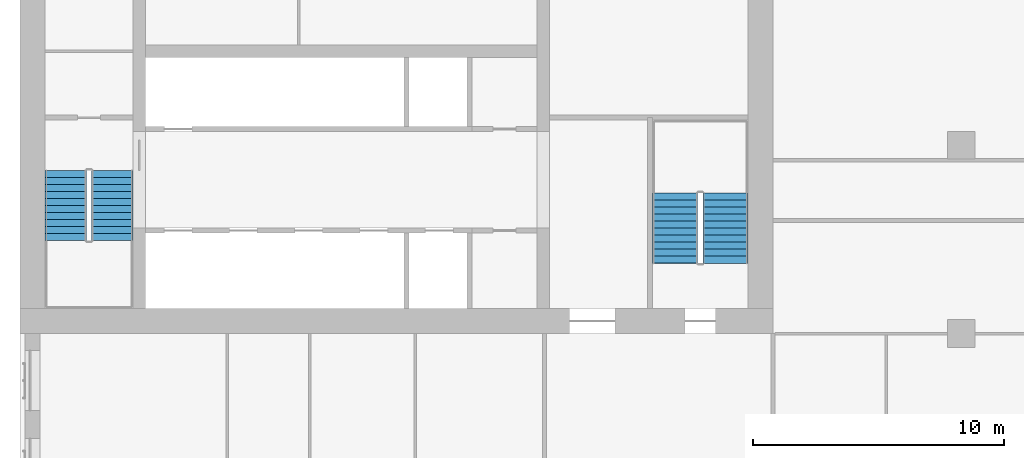
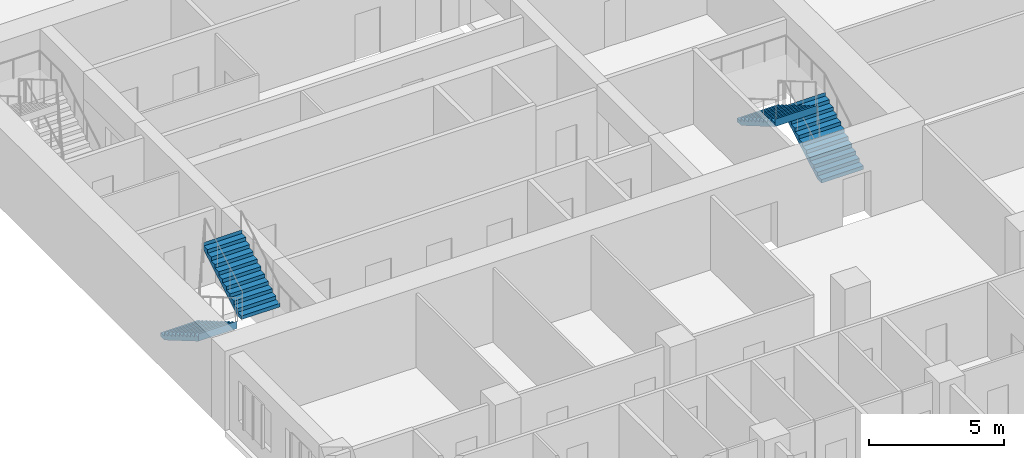
# One storey, part 13 of 15: 4 stair flights, 2 elements without a shape of their own.
"""IFC4 building model written with IfcOpenShell, lengths in metres."""

from ifc_helpers import new_model, si_unit, direction, frame, origin, place, context, subcontext, project, spatial, polyline, outline, extrude, material, type_object, element, aggregate, save


model = new_model("IFC4")

# Units and contexts
model_context = context("Model", 3, precision=1e-05, world=origin(), true_north=direction((0.0, 1.0)))
body_context = subcontext(model_context, "Body", "Model", "MODEL_VIEW")
ifc_project = project(units=[si_unit("LENGTHUNIT", "METRE"), si_unit("AREAUNIT", "SQUARE_METRE"), si_unit("VOLUMEUNIT", "CUBIC_METRE"), si_unit("PLANEANGLEUNIT", "RADIAN"), si_unit("MASSUNIT", "GRAM", prefix="KILO")], contexts=[model_context])

# Site, building, storey
site_placement = place(None, origin())
site = spatial("IfcSite", under=ifc_project, at=site_placement, CompositionType="ELEMENT")
building_placement = place(site_placement, origin())
building = spatial("IfcBuilding", under=site, at=building_placement, Name="Tamorin Gate", CompositionType="ELEMENT")
storey_placement = place(building_placement, frame((0.0, 0.0, 97.10009765625)))
storey = spatial("IfcBuildingStorey", under=building, at=storey_placement, Name="L23", CompositionType="ELEMENT", Elevation=97.10009765625)

# Stair, stair flights
ifc_material = material(Name="Concrete C40/50", Category="concrete")
stair_type = type_object("IfcStairType", Name="Exit stair", PredefinedType="HALF_TURN_STAIR", material=ifc_material)
stair_1_placement = place(storey_placement, origin())
stair_1 = element("IfcStair", 1, at=stair_1_placement, inside=storey, type_object=stair_type, Name="L23 stair ST1", PredefinedType="HALF_TURN_STAIR")
stair_flight_type = type_object("IfcStairFlightType", Name="Exit stair flight", PredefinedType="STRAIGHT", material=ifc_material)
stair_flight_1_placement = place(storey_placement, frame((31.824951171875, 66.5, 0.0), z_axis=(0.0, 0.0, 1.0), x_axis=(0.0, -1.0, 0.0)))
stair_flight_1 = element("IfcStairFlight", 2, at=stair_flight_1_placement, type_object=stair_flight_type, Name="ST1 flight 1", NumberOfRisers=11, NumberOfTreads=10, PredefinedType="STRAIGHT", RiserHeight=0.163636364, TreadLength=0.28, context=body_context, shape_type="SweptSolid", body=[
    extrude(outline(polyline([(-0.00048828125, 0.0), (-0.00048828125, 0.001708984375), (-0.00048828125, 0.003173828125), (-0.00048828125, 0.0048828125), (-0.00048828125, 0.006591796875), (-0.00048828125, 0.008056640625), (-0.00048828125, 0.009765625), (-0.00048828125, 0.01123046875), (-0.00048828125, 0.012939453125), (-0.00048828125, 0.0146484375), (-0.00048828125, 0.01611328125), (-0.00048828125, 0.017822265625), (-0.00048828125, 0.01953125), (-0.00048828125, 0.02099609375), (-0.00048828125, 0.022705078125), (-0.00048828125, 0.0244140625), (-0.00048828125, 0.02587890625), (-0.00048828125, 0.027587890625), (-0.00048828125, 0.029052734375), (-0.00048828125, 0.03076171875), (-0.00048828125, 0.032470703125), (-0.00048828125, 0.033935546875), (-0.00048828125, 0.03564453125), (-0.00048828125, 0.037353515625), (-0.00048828125, 0.038818359375), (-0.00048828125, 0.04052734375), (-0.00048828125, 0.042236328125), (-0.00048828125, 0.043701171875), (-0.00048828125, 0.04541015625), (-0.00048828125, 0.046875), (-0.00048828125, 0.048583984375), (-0.00048828125, 0.05029296875), (-0.00048828125, 0.0517578125), (-0.00048828125, 0.053466796875), (-0.00048828125, 0.05517578125), (-0.00048828125, 0.056640625), (-0.00048828125, 0.058349609375), (-0.00048828125, 0.06005859375), (-0.00048828125, 0.0615234375), (-0.00048828125, 0.063232421875), (-0.00048828125, 0.064697265625), (-0.00048828125, 0.06640625), (-0.00048828125, 0.068115234375), (-0.00048828125, 0.069580078125), (-0.00048828125, 0.0712890625), (-0.00048828125, 0.072998046875), (-0.00048828125, 0.074462890625), (-0.00048828125, 0.076171875), (-0.00048828125, 0.077880859375), (-0.00048828125, 0.079345703125), (-0.00048828125, 0.0810546875), (-0.00048828125, 0.08251953125), (-0.00048828125, 0.084228515625), (-0.00048828125, 0.0859375), (-0.00048828125, 0.08740234375), (-0.00048828125, 0.089111328125), (-0.00048828125, 0.0908203125), (-0.00048828125, 0.09228515625), (-0.00048828125, 0.093994140625), (-0.00048828125, 0.095703125), (-0.00048828125, 0.09716796875), (-0.00048828125, 0.098876953125), (-0.00048828125, 0.100341796875), (-0.00048828125, 0.10205078125), (-0.00048828125, 0.103759765625), (-0.00048828125, 0.105224609375), (-0.00048828125, 0.10693359375), (-0.00048828125, 0.108642578125), (-0.00048828125, 0.110107421875), (-0.00048828125, 0.11181640625), (-0.00048828125, 0.113525390625), (-0.00048828125, 0.114990234375), (-0.00048828125, 0.11669921875), (-0.00048828125, 0.1181640625), (-0.00048828125, 0.119873046875), (-0.00048828125, 0.12158203125), (-0.00048828125, 0.123046875), (-0.00048828125, 0.124755859375), (-0.00048828125, 0.12646484375), (-0.00048828125, 0.1279296875), (-0.00048828125, 0.129638671875), (-0.00048828125, 0.13134765625), (-0.00048828125, 0.1328125), (-0.00048828125, 0.134521484375), (-0.00048828125, 0.135986328125), (-0.00048828125, 0.1376953125), (-0.00048828125, 0.139404296875), (-0.00048828125, 0.140869140625), (-0.00048828125, 0.142578125), (-0.00048828125, 0.144287109375), (-0.00048828125, 0.145751953125), (-0.00048828125, 0.1474609375), (-0.00048828125, 0.149169921875), (-0.00048828125, 0.150634765625), (-0.00048828125, 0.15234375), (-0.00048828125, 0.15380859375), (-0.00048828125, 0.155517578125), (-0.00048828125, 0.1572265625), (-0.00048828125, 0.15869140625), (-0.00048828125, 0.160400390625), (-0.00048828125, 0.162109375), (-0.00048828125, 0.16357421875), (0.280029296875, 0.16357421875), (0.280029296875, 0.327392578125), (0.56005859375, 0.327392578125), (0.56005859375, 0.490966796875), (0.840087890625, 0.490966796875), (0.840087890625, 0.654541015625), (1.1201171875, 0.654541015625), (1.1201171875, 0.818115234375), (1.39990234375, 0.818115234375), (1.39990234375, 0.98193359375), (1.679931640625, 0.98193359375), (1.679931640625, 1.1455078125), (1.9599609375, 1.1455078125), (1.9599609375, 1.30908203125), (2.239990234375, 1.30908203125), (2.239990234375, 1.47265625), (2.52001953125, 1.47265625), (2.52001953125, 1.636474609375), (2.800048828125, 1.636474609375), (2.800048828125, 1.800048828125), (2.800537109375, 1.800048828125), (2.800537109375, 1.796630859375), (2.800537109375, 1.793212890625), (2.800537109375, 1.7900390625), (2.800537109375, 1.78662109375), (2.800537109375, 1.783203125), (2.800537109375, 1.780029296875), (2.800537109375, 1.776611328125), (2.800537109375, 1.773193359375), (2.800537109375, 1.77001953125), (2.800537109375, 1.7666015625), (2.800537109375, 1.76318359375), (2.800537109375, 1.760009765625), (2.800537109375, 1.756591796875), (2.800537109375, 1.753173828125), (2.800537109375, 1.75), (2.800537109375, 1.74658203125), (2.800537109375, 1.7431640625), (2.800537109375, 1.739990234375), (2.800537109375, 1.736572265625), (2.800537109375, 1.733154296875), (2.800537109375, 1.72998046875), (2.800537109375, 1.7265625), (2.800537109375, 1.72314453125), (2.800537109375, 1.719970703125), (2.800537109375, 1.716552734375), (2.800537109375, 1.713134765625), (2.800537109375, 1.7099609375), (2.800537109375, 1.70654296875), (2.800537109375, 1.703125), (2.800537109375, 1.69970703125), (2.800537109375, 1.696533203125), (2.800537109375, 1.693115234375), (2.800537109375, 1.689697265625), (2.800537109375, 1.6865234375), (2.800537109375, 1.68310546875), (2.800537109375, 1.6796875), (2.800537109375, 1.676513671875), (2.800537109375, 1.673095703125), (2.800537109375, 1.669677734375), (2.800537109375, 1.66650390625), (2.800537109375, 1.6630859375), (2.800537109375, 1.65966796875), (2.800537109375, 1.656494140625), (2.800537109375, 1.653076171875), (2.800537109375, 1.649658203125), (2.800537109375, 1.646484375), (2.800537109375, 1.64306640625), (2.800537109375, 1.6396484375), (2.800537109375, 1.636474609375), (2.800537109375, 1.633056640625), (2.800537109375, 1.629638671875), (2.800537109375, 1.62646484375), (2.800537109375, 1.623046875), (2.800537109375, 1.61962890625), (2.800537109375, 1.616455078125), (2.800537109375, 1.613037109375), (2.800537109375, 1.609619140625), (2.800537109375, 1.6064453125), (2.800537109375, 1.60302734375), (2.800537109375, 1.599609375), (2.800537109375, 1.59619140625), (2.800537109375, 1.593017578125), (2.800537109375, 1.589599609375), (2.800537109375, 1.586181640625), (2.800537109375, 1.5830078125), (2.800537109375, 1.57958984375), (2.800537109375, 1.576171875), (2.800537109375, 1.572998046875), (2.800537109375, 1.569580078125), (2.800537109375, 1.566162109375), (2.800537109375, 1.56298828125), (2.800537109375, 1.5595703125), (2.800537109375, 1.55615234375), (2.800537109375, 1.552978515625), (2.800537109375, 1.549560546875), (2.800537109375, 1.546142578125), (2.800537109375, 1.54296875), (2.800537109375, 1.53955078125), (2.800537109375, 1.5361328125), (2.800537109375, 1.532958984375), (2.800537109375, 1.529541015625), (2.800537109375, 1.526123046875), (2.800537109375, 1.52294921875), (2.800537109375, 1.51953125), (2.800537109375, 1.51611328125), (2.800537109375, 1.512939453125), (2.800537109375, 1.509521484375), (2.800537109375, 1.506103515625), (2.800537109375, 1.5029296875), (2.800537109375, 1.49951171875), (2.800537109375, 1.49609375), (2.800537109375, 1.49267578125), (2.800537109375, 1.489501953125), (2.800537109375, 1.486083984375), (2.800537109375, 1.482666015625), (2.800537109375, 1.4794921875), (2.800537109375, 1.47607421875), (2.800537109375, 1.47265625), (2.800537109375, 1.469482421875), (2.800537109375, 1.466064453125), (2.800537109375, 1.462646484375), (2.800048828125, 1.462646484375), (0.297119140625, 0.0), (-0.00048828125, 0.0)])), frame((0.0, 0.824951171875, 0.0), z_axis=(0.0, -1.0, 0.0), x_axis=(1.0, 0.0, 0.0)), (0.0, 0.0, 1.0), 1.64990234375),
])
stair_flight_2_placement = place(storey_placement, frame((33.675048828125, 63.699951171875, 1.7998046875), z_axis=(0.0, 0.0, 1.0), x_axis=(0.0, 1.0, 0.0)))
stair_flight_2 = element("IfcStairFlight", 3, at=stair_flight_2_placement, type_object=stair_flight_type, Name="ST1 flight 2", NumberOfRisers=11, NumberOfTreads=10, PredefinedType="STRAIGHT", RiserHeight=0.163636364, TreadLength=0.28, context=body_context, shape_type="SweptSolid", body=[
    extrude(outline(polyline([(-0.00048828125, 0.0), (-0.00048828125, 0.001708984375), (-0.00048828125, 0.003173828125), (-0.00048828125, 0.0048828125), (-0.00048828125, 0.006591796875), (-0.00048828125, 0.008056640625), (-0.00048828125, 0.009765625), (-0.00048828125, 0.01123046875), (-0.00048828125, 0.012939453125), (-0.00048828125, 0.0146484375), (-0.00048828125, 0.01611328125), (-0.00048828125, 0.017822265625), (-0.00048828125, 0.01953125), (-0.00048828125, 0.02099609375), (-0.00048828125, 0.022705078125), (-0.00048828125, 0.0244140625), (-0.00048828125, 0.02587890625), (-0.00048828125, 0.027587890625), (-0.00048828125, 0.029052734375), (-0.00048828125, 0.03076171875), (-0.00048828125, 0.032470703125), (-0.00048828125, 0.033935546875), (-0.00048828125, 0.03564453125), (-0.00048828125, 0.037353515625), (-0.00048828125, 0.038818359375), (-0.00048828125, 0.04052734375), (-0.00048828125, 0.042236328125), (-0.00048828125, 0.043701171875), (-0.00048828125, 0.04541015625), (-0.00048828125, 0.046875), (-0.00048828125, 0.048583984375), (-0.00048828125, 0.05029296875), (-0.00048828125, 0.0517578125), (-0.00048828125, 0.053466796875), (-0.00048828125, 0.05517578125), (-0.00048828125, 0.056640625), (-0.00048828125, 0.058349609375), (-0.00048828125, 0.06005859375), (-0.00048828125, 0.0615234375), (-0.00048828125, 0.063232421875), (-0.00048828125, 0.064697265625), (-0.00048828125, 0.06640625), (-0.00048828125, 0.068115234375), (-0.00048828125, 0.069580078125), (-0.00048828125, 0.0712890625), (-0.00048828125, 0.072998046875), (-0.00048828125, 0.074462890625), (-0.00048828125, 0.076171875), (-0.00048828125, 0.077880859375), (-0.00048828125, 0.079345703125), (-0.00048828125, 0.0810546875), (-0.00048828125, 0.08251953125), (-0.00048828125, 0.084228515625), (-0.00048828125, 0.0859375), (-0.00048828125, 0.08740234375), (-0.00048828125, 0.089111328125), (-0.00048828125, 0.0908203125), (-0.00048828125, 0.09228515625), (-0.00048828125, 0.093994140625), (-0.00048828125, 0.095703125), (-0.00048828125, 0.09716796875), (-0.00048828125, 0.098876953125), (-0.00048828125, 0.100341796875), (-0.00048828125, 0.10205078125), (-0.00048828125, 0.103759765625), (-0.00048828125, 0.105224609375), (-0.00048828125, 0.10693359375), (-0.00048828125, 0.108642578125), (-0.00048828125, 0.110107421875), (-0.00048828125, 0.11181640625), (-0.00048828125, 0.113525390625), (-0.00048828125, 0.114990234375), (-0.00048828125, 0.11669921875), (-0.00048828125, 0.1181640625), (-0.00048828125, 0.119873046875), (-0.00048828125, 0.12158203125), (-0.00048828125, 0.123046875), (-0.00048828125, 0.124755859375), (-0.00048828125, 0.12646484375), (-0.00048828125, 0.1279296875), (-0.00048828125, 0.129638671875), (-0.00048828125, 0.13134765625), (-0.00048828125, 0.1328125), (-0.00048828125, 0.134521484375), (-0.00048828125, 0.135986328125), (-0.00048828125, 0.1376953125), (-0.00048828125, 0.139404296875), (-0.00048828125, 0.140869140625), (-0.00048828125, 0.142578125), (-0.00048828125, 0.144287109375), (-0.00048828125, 0.145751953125), (-0.00048828125, 0.1474609375), (-0.00048828125, 0.149169921875), (-0.00048828125, 0.150634765625), (-0.00048828125, 0.15234375), (-0.00048828125, 0.15380859375), (-0.00048828125, 0.155517578125), (-0.00048828125, 0.1572265625), (-0.00048828125, 0.15869140625), (-0.00048828125, 0.160400390625), (-0.00048828125, 0.162109375), (-0.00048828125, 0.16357421875), (0.280029296875, 0.16357421875), (0.280029296875, 0.327392578125), (0.56005859375, 0.327392578125), (0.56005859375, 0.490966796875), (0.840087890625, 0.490966796875), (0.840087890625, 0.654541015625), (1.1201171875, 0.654541015625), (1.1201171875, 0.818115234375), (1.39990234375, 0.818115234375), (1.39990234375, 0.98193359375), (1.679931640625, 0.98193359375), (1.679931640625, 1.1455078125), (1.9599609375, 1.1455078125), (1.9599609375, 1.30908203125), (2.239990234375, 1.30908203125), (2.239990234375, 1.47265625), (2.52001953125, 1.47265625), (2.52001953125, 1.636474609375), (2.800048828125, 1.636474609375), (2.800048828125, 1.800048828125), (2.800537109375, 1.800048828125), (2.800537109375, 1.796630859375), (2.800537109375, 1.793212890625), (2.800537109375, 1.7900390625), (2.800537109375, 1.78662109375), (2.800537109375, 1.783203125), (2.800537109375, 1.780029296875), (2.800537109375, 1.776611328125), (2.800537109375, 1.773193359375), (2.800537109375, 1.77001953125), (2.800537109375, 1.7666015625), (2.800537109375, 1.76318359375), (2.800537109375, 1.760009765625), (2.800537109375, 1.756591796875), (2.800537109375, 1.753173828125), (2.800537109375, 1.75), (2.800537109375, 1.74658203125), (2.800537109375, 1.7431640625), (2.800537109375, 1.739990234375), (2.800537109375, 1.736572265625), (2.800537109375, 1.733154296875), (2.800537109375, 1.72998046875), (2.800537109375, 1.7265625), (2.800537109375, 1.72314453125), (2.800537109375, 1.719970703125), (2.800537109375, 1.716552734375), (2.800537109375, 1.713134765625), (2.800537109375, 1.7099609375), (2.800537109375, 1.70654296875), (2.800537109375, 1.703125), (2.800537109375, 1.69970703125), (2.800537109375, 1.696533203125), (2.800537109375, 1.693115234375), (2.800537109375, 1.689697265625), (2.800537109375, 1.6865234375), (2.800537109375, 1.68310546875), (2.800537109375, 1.6796875), (2.800537109375, 1.676513671875), (2.800537109375, 1.673095703125), (2.800537109375, 1.669677734375), (2.800537109375, 1.66650390625), (2.800537109375, 1.6630859375), (2.800537109375, 1.65966796875), (2.800537109375, 1.656494140625), (2.800537109375, 1.653076171875), (2.800537109375, 1.649658203125), (2.800537109375, 1.646484375), (2.800537109375, 1.64306640625), (2.800537109375, 1.6396484375), (2.800537109375, 1.636474609375), (2.800537109375, 1.633056640625), (2.800537109375, 1.629638671875), (2.800537109375, 1.62646484375), (2.800537109375, 1.623046875), (2.800537109375, 1.61962890625), (2.800537109375, 1.616455078125), (2.800537109375, 1.613037109375), (2.800537109375, 1.609619140625), (2.800537109375, 1.6064453125), (2.800537109375, 1.60302734375), (2.800537109375, 1.599609375), (2.800537109375, 1.59619140625), (2.800537109375, 1.593017578125), (2.800537109375, 1.589599609375), (2.800537109375, 1.586181640625), (2.800537109375, 1.5830078125), (2.800537109375, 1.57958984375), (2.800537109375, 1.576171875), (2.800537109375, 1.572998046875), (2.800537109375, 1.569580078125), (2.800537109375, 1.566162109375), (2.800537109375, 1.56298828125), (2.800537109375, 1.5595703125), (2.800537109375, 1.55615234375), (2.800537109375, 1.552978515625), (2.800537109375, 1.549560546875), (2.800537109375, 1.546142578125), (2.800537109375, 1.54296875), (2.800537109375, 1.53955078125), (2.800537109375, 1.5361328125), (2.800537109375, 1.532958984375), (2.800537109375, 1.529541015625), (2.800537109375, 1.526123046875), (2.800537109375, 1.52294921875), (2.800537109375, 1.51953125), (2.800537109375, 1.51611328125), (2.800537109375, 1.512939453125), (2.800537109375, 1.509521484375), (2.800537109375, 1.506103515625), (2.800537109375, 1.5029296875), (2.800537109375, 1.49951171875), (2.800537109375, 1.49609375), (2.800537109375, 1.49267578125), (2.800537109375, 1.489501953125), (2.800537109375, 1.486083984375), (2.800537109375, 1.482666015625), (2.800537109375, 1.4794921875), (2.800537109375, 1.47607421875), (2.800537109375, 1.47265625), (2.800537109375, 1.469482421875), (2.800537109375, 1.466064453125), (2.800537109375, 1.462646484375), (2.800048828125, 1.462646484375), (0.297119140625, 0.0), (-0.00048828125, 0.0)])), frame((0.0, 0.824951171875, 0.0), z_axis=(0.0, -1.0, 0.0), x_axis=(1.0, 0.0, 0.0)), (0.0, 0.0, 1.0), 1.64990234375),
])
aggregate(stair_1, [stair_flight_1, stair_flight_2])

stair_2_placement = place(storey_placement, origin())
stair_2 = element("IfcStair", 4, at=stair_2_placement, inside=storey, type_object=stair_type, Name="L23 stair ST3", PredefinedType="HALF_TURN_STAIR")
stair_flight_3_placement = place(storey_placement, frame((58.10009765625, 62.800048828125, 0.0), z_axis=(0.0, 0.0, 1.0), x_axis=(0.0, 1.0, 0.0)))
stair_flight_3 = element("IfcStairFlight", 5, at=stair_flight_3_placement, type_object=stair_flight_type, Name="ST3 flight 1", NumberOfRisers=11, NumberOfTreads=10, PredefinedType="STRAIGHT", RiserHeight=0.163636364, TreadLength=0.28, context=body_context, shape_type="SweptSolid", body=[
    extrude(outline(polyline([(-0.00048828125, 0.0), (-0.00048828125, 0.001708984375), (-0.00048828125, 0.003173828125), (-0.00048828125, 0.0048828125), (-0.00048828125, 0.006591796875), (-0.00048828125, 0.008056640625), (-0.00048828125, 0.009765625), (-0.00048828125, 0.01123046875), (-0.00048828125, 0.012939453125), (-0.00048828125, 0.0146484375), (-0.00048828125, 0.01611328125), (-0.00048828125, 0.017822265625), (-0.00048828125, 0.01953125), (-0.00048828125, 0.02099609375), (-0.00048828125, 0.022705078125), (-0.00048828125, 0.0244140625), (-0.00048828125, 0.02587890625), (-0.00048828125, 0.027587890625), (-0.00048828125, 0.029052734375), (-0.00048828125, 0.03076171875), (-0.00048828125, 0.032470703125), (-0.00048828125, 0.033935546875), (-0.00048828125, 0.03564453125), (-0.00048828125, 0.037353515625), (-0.00048828125, 0.038818359375), (-0.00048828125, 0.04052734375), (-0.00048828125, 0.042236328125), (-0.00048828125, 0.043701171875), (-0.00048828125, 0.04541015625), (-0.00048828125, 0.046875), (-0.00048828125, 0.048583984375), (-0.00048828125, 0.05029296875), (-0.00048828125, 0.0517578125), (-0.00048828125, 0.053466796875), (-0.00048828125, 0.05517578125), (-0.00048828125, 0.056640625), (-0.00048828125, 0.058349609375), (-0.00048828125, 0.06005859375), (-0.00048828125, 0.0615234375), (-0.00048828125, 0.063232421875), (-0.00048828125, 0.064697265625), (-0.00048828125, 0.06640625), (-0.00048828125, 0.068115234375), (-0.00048828125, 0.069580078125), (-0.00048828125, 0.0712890625), (-0.00048828125, 0.072998046875), (-0.00048828125, 0.074462890625), (-0.00048828125, 0.076171875), (-0.00048828125, 0.077880859375), (-0.00048828125, 0.079345703125), (-0.00048828125, 0.0810546875), (-0.00048828125, 0.08251953125), (-0.00048828125, 0.084228515625), (-0.00048828125, 0.0859375), (-0.00048828125, 0.08740234375), (-0.00048828125, 0.089111328125), (-0.00048828125, 0.0908203125), (-0.00048828125, 0.09228515625), (-0.00048828125, 0.093994140625), (-0.00048828125, 0.095703125), (-0.00048828125, 0.09716796875), (-0.00048828125, 0.098876953125), (-0.00048828125, 0.100341796875), (-0.00048828125, 0.10205078125), (-0.00048828125, 0.103759765625), (-0.00048828125, 0.105224609375), (-0.00048828125, 0.10693359375), (-0.00048828125, 0.108642578125), (-0.00048828125, 0.110107421875), (-0.00048828125, 0.11181640625), (-0.00048828125, 0.113525390625), (-0.00048828125, 0.114990234375), (-0.00048828125, 0.11669921875), (-0.00048828125, 0.1181640625), (-0.00048828125, 0.119873046875), (-0.00048828125, 0.12158203125), (-0.00048828125, 0.123046875), (-0.00048828125, 0.124755859375), (-0.00048828125, 0.12646484375), (-0.00048828125, 0.1279296875), (-0.00048828125, 0.129638671875), (-0.00048828125, 0.13134765625), (-0.00048828125, 0.1328125), (-0.00048828125, 0.134521484375), (-0.00048828125, 0.135986328125), (-0.00048828125, 0.1376953125), (-0.00048828125, 0.139404296875), (-0.00048828125, 0.140869140625), (-0.00048828125, 0.142578125), (-0.00048828125, 0.144287109375), (-0.00048828125, 0.145751953125), (-0.00048828125, 0.1474609375), (-0.00048828125, 0.149169921875), (-0.00048828125, 0.150634765625), (-0.00048828125, 0.15234375), (-0.00048828125, 0.15380859375), (-0.00048828125, 0.155517578125), (-0.00048828125, 0.1572265625), (-0.00048828125, 0.15869140625), (-0.00048828125, 0.160400390625), (-0.00048828125, 0.162109375), (-0.00048828125, 0.16357421875), (0.280029296875, 0.16357421875), (0.280029296875, 0.327392578125), (0.56005859375, 0.327392578125), (0.56005859375, 0.490966796875), (0.840087890625, 0.490966796875), (0.840087890625, 0.654541015625), (1.1201171875, 0.654541015625), (1.1201171875, 0.818115234375), (1.39990234375, 0.818115234375), (1.39990234375, 0.98193359375), (1.679931640625, 0.98193359375), (1.679931640625, 1.1455078125), (1.9599609375, 1.1455078125), (1.9599609375, 1.30908203125), (2.239990234375, 1.30908203125), (2.239990234375, 1.47265625), (2.52001953125, 1.47265625), (2.52001953125, 1.636474609375), (2.800048828125, 1.636474609375), (2.800048828125, 1.800048828125), (2.800537109375, 1.800048828125), (2.800537109375, 1.796630859375), (2.800537109375, 1.793212890625), (2.800537109375, 1.7900390625), (2.800537109375, 1.78662109375), (2.800537109375, 1.783203125), (2.800537109375, 1.780029296875), (2.800537109375, 1.776611328125), (2.800537109375, 1.773193359375), (2.800537109375, 1.77001953125), (2.800537109375, 1.7666015625), (2.800537109375, 1.76318359375), (2.800537109375, 1.760009765625), (2.800537109375, 1.756591796875), (2.800537109375, 1.753173828125), (2.800537109375, 1.75), (2.800537109375, 1.74658203125), (2.800537109375, 1.7431640625), (2.800537109375, 1.739990234375), (2.800537109375, 1.736572265625), (2.800537109375, 1.733154296875), (2.800537109375, 1.72998046875), (2.800537109375, 1.7265625), (2.800537109375, 1.72314453125), (2.800537109375, 1.719970703125), (2.800537109375, 1.716552734375), (2.800537109375, 1.713134765625), (2.800537109375, 1.7099609375), (2.800537109375, 1.70654296875), (2.800537109375, 1.703125), (2.800537109375, 1.69970703125), (2.800537109375, 1.696533203125), (2.800537109375, 1.693115234375), (2.800537109375, 1.689697265625), (2.800537109375, 1.6865234375), (2.800537109375, 1.68310546875), (2.800537109375, 1.6796875), (2.800537109375, 1.676513671875), (2.800537109375, 1.673095703125), (2.800537109375, 1.669677734375), (2.800537109375, 1.66650390625), (2.800537109375, 1.6630859375), (2.800537109375, 1.65966796875), (2.800537109375, 1.656494140625), (2.800537109375, 1.653076171875), (2.800537109375, 1.649658203125), (2.800537109375, 1.646484375), (2.800537109375, 1.64306640625), (2.800537109375, 1.6396484375), (2.800537109375, 1.636474609375), (2.800537109375, 1.633056640625), (2.800537109375, 1.629638671875), (2.800537109375, 1.62646484375), (2.800537109375, 1.623046875), (2.800537109375, 1.61962890625), (2.800537109375, 1.616455078125), (2.800537109375, 1.613037109375), (2.800537109375, 1.609619140625), (2.800537109375, 1.6064453125), (2.800537109375, 1.60302734375), (2.800537109375, 1.599609375), (2.800537109375, 1.59619140625), (2.800537109375, 1.593017578125), (2.800537109375, 1.589599609375), (2.800537109375, 1.586181640625), (2.800537109375, 1.5830078125), (2.800537109375, 1.57958984375), (2.800537109375, 1.576171875), (2.800537109375, 1.572998046875), (2.800537109375, 1.569580078125), (2.800537109375, 1.566162109375), (2.800537109375, 1.56298828125), (2.800537109375, 1.5595703125), (2.800537109375, 1.55615234375), (2.800537109375, 1.552978515625), (2.800537109375, 1.549560546875), (2.800537109375, 1.546142578125), (2.800537109375, 1.54296875), (2.800537109375, 1.53955078125), (2.800537109375, 1.5361328125), (2.800537109375, 1.532958984375), (2.800537109375, 1.529541015625), (2.800537109375, 1.526123046875), (2.800537109375, 1.52294921875), (2.800537109375, 1.51953125), (2.800537109375, 1.51611328125), (2.800537109375, 1.512939453125), (2.800537109375, 1.509521484375), (2.800537109375, 1.506103515625), (2.800537109375, 1.5029296875), (2.800537109375, 1.49951171875), (2.800537109375, 1.49609375), (2.800537109375, 1.49267578125), (2.800537109375, 1.489501953125), (2.800537109375, 1.486083984375), (2.800537109375, 1.482666015625), (2.800537109375, 1.4794921875), (2.800537109375, 1.47607421875), (2.800537109375, 1.47265625), (2.800537109375, 1.469482421875), (2.800537109375, 1.466064453125), (2.800537109375, 1.462646484375), (2.800048828125, 1.462646484375), (0.297119140625, 0.0), (-0.00048828125, 0.0)])), frame((0.0, 0.89990234375, 0.0), z_axis=(0.0, -1.0, 0.0), x_axis=(1.0, 0.0, 0.0)), (0.0, 0.0, 1.0), 1.800048828125),
])
stair_flight_4_placement = place(storey_placement, frame((56.10009765625, 65.60009765625, 1.7998046875), z_axis=(0.0, 0.0, 1.0), x_axis=(0.0, -1.0, 0.0)))
stair_flight_4 = element("IfcStairFlight", 6, at=stair_flight_4_placement, type_object=stair_flight_type, Name="ST3 flight 2", NumberOfRisers=11, NumberOfTreads=10, PredefinedType="STRAIGHT", RiserHeight=0.163636364, TreadLength=0.28, context=body_context, shape_type="SweptSolid", body=[
    extrude(outline(polyline([(-0.00048828125, 0.0), (-0.00048828125, 0.001708984375), (-0.00048828125, 0.003173828125), (-0.00048828125, 0.0048828125), (-0.00048828125, 0.006591796875), (-0.00048828125, 0.008056640625), (-0.00048828125, 0.009765625), (-0.00048828125, 0.01123046875), (-0.00048828125, 0.012939453125), (-0.00048828125, 0.0146484375), (-0.00048828125, 0.01611328125), (-0.00048828125, 0.017822265625), (-0.00048828125, 0.01953125), (-0.00048828125, 0.02099609375), (-0.00048828125, 0.022705078125), (-0.00048828125, 0.0244140625), (-0.00048828125, 0.02587890625), (-0.00048828125, 0.027587890625), (-0.00048828125, 0.029052734375), (-0.00048828125, 0.03076171875), (-0.00048828125, 0.032470703125), (-0.00048828125, 0.033935546875), (-0.00048828125, 0.03564453125), (-0.00048828125, 0.037353515625), (-0.00048828125, 0.038818359375), (-0.00048828125, 0.04052734375), (-0.00048828125, 0.042236328125), (-0.00048828125, 0.043701171875), (-0.00048828125, 0.04541015625), (-0.00048828125, 0.046875), (-0.00048828125, 0.048583984375), (-0.00048828125, 0.05029296875), (-0.00048828125, 0.0517578125), (-0.00048828125, 0.053466796875), (-0.00048828125, 0.05517578125), (-0.00048828125, 0.056640625), (-0.00048828125, 0.058349609375), (-0.00048828125, 0.06005859375), (-0.00048828125, 0.0615234375), (-0.00048828125, 0.063232421875), (-0.00048828125, 0.064697265625), (-0.00048828125, 0.06640625), (-0.00048828125, 0.068115234375), (-0.00048828125, 0.069580078125), (-0.00048828125, 0.0712890625), (-0.00048828125, 0.072998046875), (-0.00048828125, 0.074462890625), (-0.00048828125, 0.076171875), (-0.00048828125, 0.077880859375), (-0.00048828125, 0.079345703125), (-0.00048828125, 0.0810546875), (-0.00048828125, 0.08251953125), (-0.00048828125, 0.084228515625), (-0.00048828125, 0.0859375), (-0.00048828125, 0.08740234375), (-0.00048828125, 0.089111328125), (-0.00048828125, 0.0908203125), (-0.00048828125, 0.09228515625), (-0.00048828125, 0.093994140625), (-0.00048828125, 0.095703125), (-0.00048828125, 0.09716796875), (-0.00048828125, 0.098876953125), (-0.00048828125, 0.100341796875), (-0.00048828125, 0.10205078125), (-0.00048828125, 0.103759765625), (-0.00048828125, 0.105224609375), (-0.00048828125, 0.10693359375), (-0.00048828125, 0.108642578125), (-0.00048828125, 0.110107421875), (-0.00048828125, 0.11181640625), (-0.00048828125, 0.113525390625), (-0.00048828125, 0.114990234375), (-0.00048828125, 0.11669921875), (-0.00048828125, 0.1181640625), (-0.00048828125, 0.119873046875), (-0.00048828125, 0.12158203125), (-0.00048828125, 0.123046875), (-0.00048828125, 0.124755859375), (-0.00048828125, 0.12646484375), (-0.00048828125, 0.1279296875), (-0.00048828125, 0.129638671875), (-0.00048828125, 0.13134765625), (-0.00048828125, 0.1328125), (-0.00048828125, 0.134521484375), (-0.00048828125, 0.135986328125), (-0.00048828125, 0.1376953125), (-0.00048828125, 0.139404296875), (-0.00048828125, 0.140869140625), (-0.00048828125, 0.142578125), (-0.00048828125, 0.144287109375), (-0.00048828125, 0.145751953125), (-0.00048828125, 0.1474609375), (-0.00048828125, 0.149169921875), (-0.00048828125, 0.150634765625), (-0.00048828125, 0.15234375), (-0.00048828125, 0.15380859375), (-0.00048828125, 0.155517578125), (-0.00048828125, 0.1572265625), (-0.00048828125, 0.15869140625), (-0.00048828125, 0.160400390625), (-0.00048828125, 0.162109375), (-0.00048828125, 0.16357421875), (0.280029296875, 0.16357421875), (0.280029296875, 0.327392578125), (0.56005859375, 0.327392578125), (0.56005859375, 0.490966796875), (0.840087890625, 0.490966796875), (0.840087890625, 0.654541015625), (1.1201171875, 0.654541015625), (1.1201171875, 0.818115234375), (1.39990234375, 0.818115234375), (1.39990234375, 0.98193359375), (1.679931640625, 0.98193359375), (1.679931640625, 1.1455078125), (1.9599609375, 1.1455078125), (1.9599609375, 1.30908203125), (2.239990234375, 1.30908203125), (2.239990234375, 1.47265625), (2.52001953125, 1.47265625), (2.52001953125, 1.636474609375), (2.800048828125, 1.636474609375), (2.800048828125, 1.800048828125), (2.800537109375, 1.800048828125), (2.800537109375, 1.796630859375), (2.800537109375, 1.793212890625), (2.800537109375, 1.7900390625), (2.800537109375, 1.78662109375), (2.800537109375, 1.783203125), (2.800537109375, 1.780029296875), (2.800537109375, 1.776611328125), (2.800537109375, 1.773193359375), (2.800537109375, 1.77001953125), (2.800537109375, 1.7666015625), (2.800537109375, 1.76318359375), (2.800537109375, 1.760009765625), (2.800537109375, 1.756591796875), (2.800537109375, 1.753173828125), (2.800537109375, 1.75), (2.800537109375, 1.74658203125), (2.800537109375, 1.7431640625), (2.800537109375, 1.739990234375), (2.800537109375, 1.736572265625), (2.800537109375, 1.733154296875), (2.800537109375, 1.72998046875), (2.800537109375, 1.7265625), (2.800537109375, 1.72314453125), (2.800537109375, 1.719970703125), (2.800537109375, 1.716552734375), (2.800537109375, 1.713134765625), (2.800537109375, 1.7099609375), (2.800537109375, 1.70654296875), (2.800537109375, 1.703125), (2.800537109375, 1.69970703125), (2.800537109375, 1.696533203125), (2.800537109375, 1.693115234375), (2.800537109375, 1.689697265625), (2.800537109375, 1.6865234375), (2.800537109375, 1.68310546875), (2.800537109375, 1.6796875), (2.800537109375, 1.676513671875), (2.800537109375, 1.673095703125), (2.800537109375, 1.669677734375), (2.800537109375, 1.66650390625), (2.800537109375, 1.6630859375), (2.800537109375, 1.65966796875), (2.800537109375, 1.656494140625), (2.800537109375, 1.653076171875), (2.800537109375, 1.649658203125), (2.800537109375, 1.646484375), (2.800537109375, 1.64306640625), (2.800537109375, 1.6396484375), (2.800537109375, 1.636474609375), (2.800537109375, 1.633056640625), (2.800537109375, 1.629638671875), (2.800537109375, 1.62646484375), (2.800537109375, 1.623046875), (2.800537109375, 1.61962890625), (2.800537109375, 1.616455078125), (2.800537109375, 1.613037109375), (2.800537109375, 1.609619140625), (2.800537109375, 1.6064453125), (2.800537109375, 1.60302734375), (2.800537109375, 1.599609375), (2.800537109375, 1.59619140625), (2.800537109375, 1.593017578125), (2.800537109375, 1.589599609375), (2.800537109375, 1.586181640625), (2.800537109375, 1.5830078125), (2.800537109375, 1.57958984375), (2.800537109375, 1.576171875), (2.800537109375, 1.572998046875), (2.800537109375, 1.569580078125), (2.800537109375, 1.566162109375), (2.800537109375, 1.56298828125), (2.800537109375, 1.5595703125), (2.800537109375, 1.55615234375), (2.800537109375, 1.552978515625), (2.800537109375, 1.549560546875), (2.800537109375, 1.546142578125), (2.800537109375, 1.54296875), (2.800537109375, 1.53955078125), (2.800537109375, 1.5361328125), (2.800537109375, 1.532958984375), (2.800537109375, 1.529541015625), (2.800537109375, 1.526123046875), (2.800537109375, 1.52294921875), (2.800537109375, 1.51953125), (2.800537109375, 1.51611328125), (2.800537109375, 1.512939453125), (2.800537109375, 1.509521484375), (2.800537109375, 1.506103515625), (2.800537109375, 1.5029296875), (2.800537109375, 1.49951171875), (2.800537109375, 1.49609375), (2.800537109375, 1.49267578125), (2.800537109375, 1.489501953125), (2.800537109375, 1.486083984375), (2.800537109375, 1.482666015625), (2.800537109375, 1.4794921875), (2.800537109375, 1.47607421875), (2.800537109375, 1.47265625), (2.800537109375, 1.469482421875), (2.800537109375, 1.466064453125), (2.800537109375, 1.462646484375), (2.800048828125, 1.462646484375), (0.297119140625, 0.0), (-0.00048828125, 0.0)])), frame((0.0, 0.89990234375, 0.0), z_axis=(0.0, -1.0, 0.0), x_axis=(1.0, 0.0, 0.0)), (0.0, 0.0, 1.0), 1.800048828125),
])
aggregate(stair_2, [stair_flight_3, stair_flight_4])

save(model, "model.ifc")
